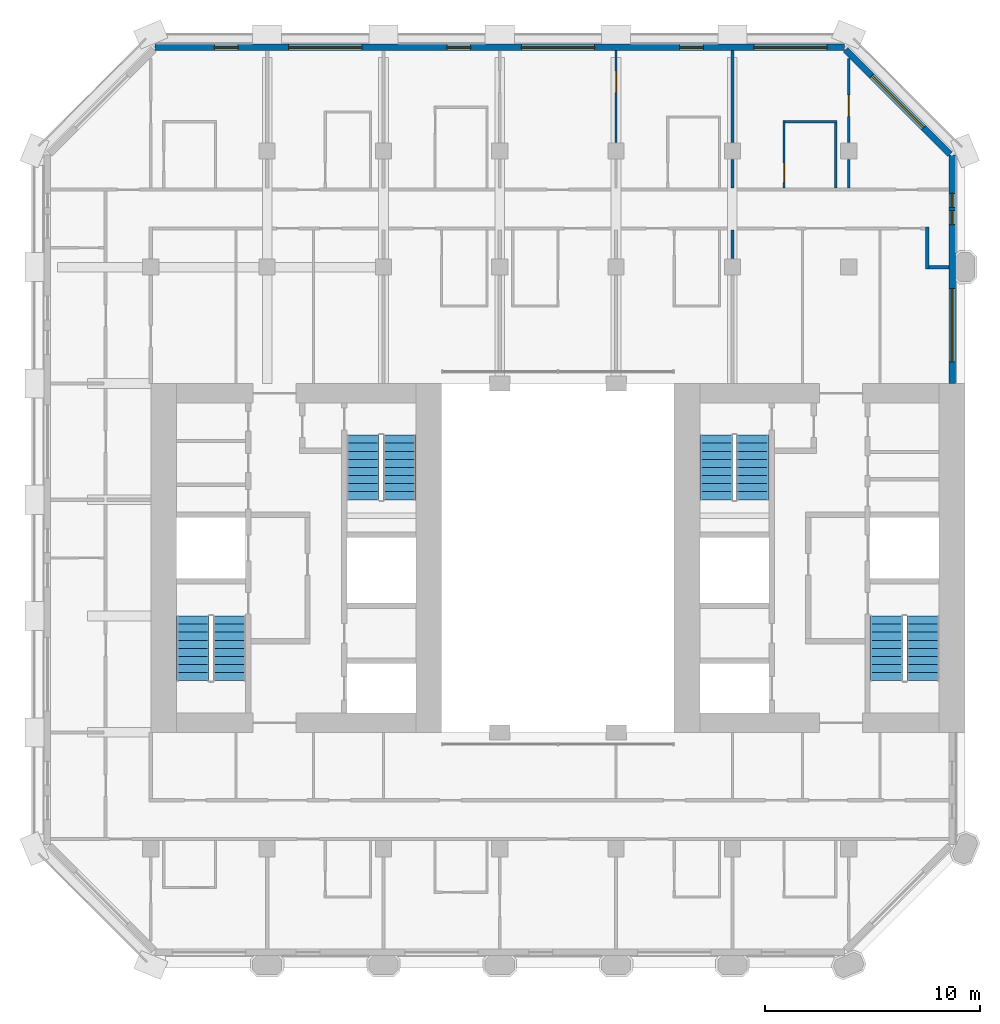
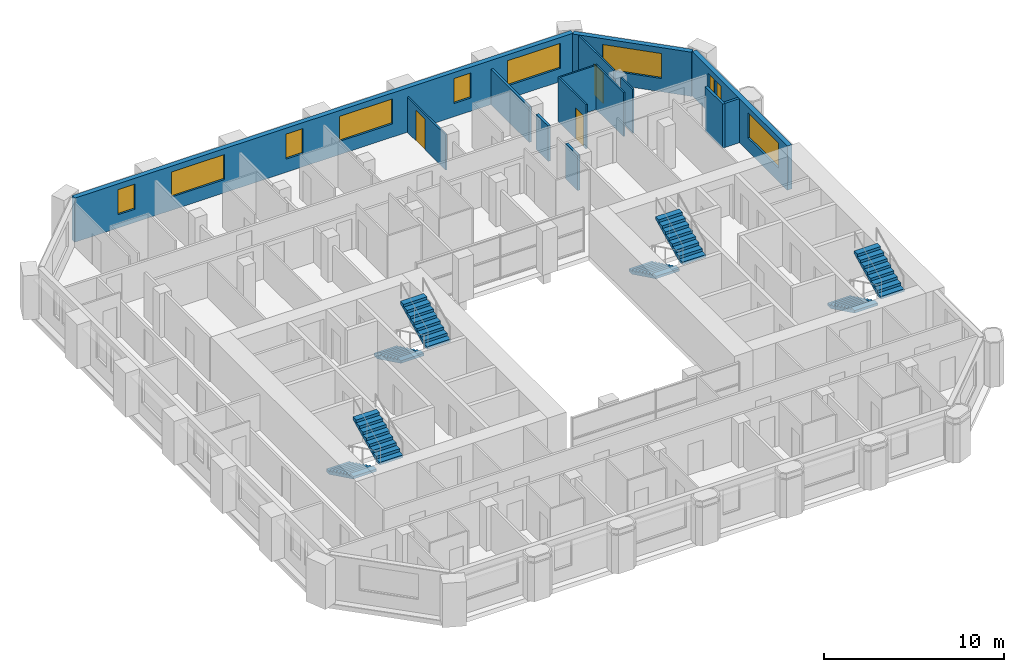
# One storey, part 11 of 13: 14 walls, 10 windows, 8 stair flights, 3 doors, 13 openings, 4 elements without a shape of their own.
"""IFC4 building model written with IfcOpenShell, lengths in metres."""

from ifc_helpers import new_model, si_unit, direction, frame, frame_2d, origin, place, context, subcontext, project, spatial, polyline, rectangle, outline, extrude, material, layer, layer_set, type_object, element, fill, aggregate, save


model = new_model("IFC4")

# Units and contexts
model_context = context("Model", 3, precision=1e-05, world=origin(), true_north=direction((0.0, 1.0)))
body_context = subcontext(model_context, "Body", "Model", "MODEL_VIEW")
ifc_project = project(units=[si_unit("LENGTHUNIT", "METRE"), si_unit("AREAUNIT", "SQUARE_METRE"), si_unit("VOLUMEUNIT", "CUBIC_METRE"), si_unit("PLANEANGLEUNIT", "RADIAN"), si_unit("MASSUNIT", "GRAM", prefix="KILO")], contexts=[model_context])

# Site, building, storey
site_placement = place(None, origin())
site = spatial("IfcSite", under=ifc_project, at=site_placement, CompositionType="ELEMENT")
building_placement = place(site_placement, origin())
building = spatial("IfcBuilding", under=site, at=building_placement, Name="Tabaq Tower and Sports Hall", CompositionType="ELEMENT")
storey_placement = place(building_placement, frame((0.0, 0.0, 220.300048828125)))
storey = spatial("IfcBuildingStorey", under=building, at=storey_placement, Name="L55", CompositionType="ELEMENT", Elevation=220.300048828125)

# Wall, opening, door
ifc_material_1 = material(Name="Gypsum board on steel studs", Category="steel")
ifc_layer_1 = layer(ifc_material_1, 0.10009765625)
ifc_layer_set_1 = layer_set([ifc_layer_1], Name="Partition 100 Gypsum board")
wall_type_1 = type_object("IfcWallType", Name="Partition 100 Gypsum board", PredefinedType="PARTITIONING", material=ifc_layer_set_1)
wall_1_placement = place(storey_placement, frame((34.800048828125, 41.47509765625, 0.0), z_axis=(0.0, 0.0, 1.0), x_axis=(0.0, 1.0, 0.0)))
wall_1 = element("IfcWall", 1, at=wall_1_placement, inside=storey, type_object=wall_type_1, Name="Partition wall L55", PredefinedType="PARTITIONING", context=body_context, shape_type="SweptSolid", body=[
    extrude(rectangle(XDim=3.125, YDim=0.10009765625, at=frame_2d((1.5625, 0.0))), origin(), (0.0, 0.0, 1.0), 3.0),
])
opening_1_placement = place(wall_1_placement, frame((0.25, 0.0, 0.0)))
opening_1 = element("IfcOpeningElement", 2, at=opening_1_placement, cuts=wall_1, Name="Opening L55-005", PredefinedType="OPENING", context=body_context, shape_type="SweptSolid", body=[
    extrude(rectangle(XDim=0.89990234375, YDim=2.10009765625, at=frame_2d((0.449951171875, 1.050048828125))), frame((0.0, 0.050048828125, 0.0), z_axis=(0.0, -1.0, 0.0), x_axis=(1.0, 0.0, 0.0)), (0.0, 0.0, 1.0), 0.10009765625),
])
ifc_material_2 = material(Name="Timber leaf in steel frame", Category="steel")
door_type_1 = type_object("IfcDoorType", Name="Internal door 900 left hand", OperationType="SINGLE_SWING_LEFT", PredefinedType="DOOR", material=ifc_material_2)
door_1_placement = place(opening_1_placement, origin())
door_1 = element("IfcDoor", 3, at=door_1_placement, inside=storey, type_object=door_type_1, Name="Internal door L55-005", OperationType="SINGLE_SWING_LEFT", OverallHeight=2.10009765625, OverallWidth=0.89990234375, PredefinedType="DOOR", context=body_context, shape_type="SweptSolid", body=[
    extrude(rectangle(XDim=0.89990234375, YDim=2.10009765625, at=frame_2d((0.449951171875, 1.050048828125))), frame((0.0, 0.02490234375, 0.0), z_axis=(0.0, -1.0, 0.0), x_axis=(1.0, 0.0, 0.0)), (0.0, 0.0, 1.0), 0.050048828125),
])
fill(opening_1, door_1)

# Walls
wall_2_placement = place(storey_placement, frame((34.85009765625, 44.550048828125, 0.0), z_axis=(0.0, 0.0, 1.0), x_axis=(1.0, 0.0, 0.0)))
element("IfcWall", 4, at=wall_2_placement, inside=storey, type_object=wall_type_1, Name="Partition wall L55", PredefinedType="PARTITIONING", context=body_context, shape_type="SweptSolid", body=[
    extrude(rectangle(XDim=2.39990234375, YDim=0.10009765625, at=frame_2d((1.199951171875, 0.0))), origin(), (0.0, 0.0, 1.0), 3.0),
])
wall_3_placement = place(storey_placement, frame((37.199951171875, 44.5, 0.0), z_axis=(0.0, 0.0, 1.0), x_axis=(0.0, -1.0, 0.0)))
element("IfcWall", 5, at=wall_3_placement, inside=storey, type_object=wall_type_1, Name="Partition wall L55", PredefinedType="PARTITIONING", context=body_context, shape_type="SweptSolid", body=[
    extrude(rectangle(XDim=3.02490234375, YDim=0.10009765625, at=frame_2d((1.512451171875, 0.0))), origin(), (0.0, 0.0, 1.0), 3.0),
])
wall_4_placement = place(storey_placement, frame((37.800048828125, 41.47509765625, 0.0), z_axis=(0.0, 0.0, 1.0), x_axis=(0.0, 1.0, 0.0)))
element("IfcWall", 6, at=wall_4_placement, inside=storey, type_object=wall_type_1, Name="Partition wall L55", PredefinedType="PARTITIONING", context=body_context, shape_type="SweptSolid", body=[
    extrude(rectangle(XDim=1.329833984375, YDim=0.10009765625, at=frame_2d((0.6650390625, 0.0))), origin(), (0.0, 0.0, 1.0), 3.0),
])

# Wall, opening, door
wall_5_placement = place(storey_placement, frame((37.800048828125, 43.594970703125, 0.0), z_axis=(0.0, 0.0, 1.0), x_axis=(0.0, 1.0, 0.0)))
wall_5 = element("IfcWall", 7, at=wall_5_placement, inside=storey, type_object=wall_type_1, Name="Partition wall L55", PredefinedType="PARTITIONING", context=body_context, shape_type="SweptSolid", body=[
    extrude(rectangle(XDim=3.892822265625, YDim=0.10009765625, at=frame_2d((1.9462890625, 0.0))), origin(), (0.0, 0.0, 1.0), 3.0),
])
opening_2_placement = place(wall_5_placement, frame((1.205078125, 0.0, 0.0)))
opening_2 = element("IfcOpeningElement", 8, at=opening_2_placement, cuts=wall_5, Name="Opening L55-032", PredefinedType="OPENING", context=body_context, shape_type="SweptSolid", body=[
    extrude(rectangle(XDim=1.0, YDim=2.10009765625, at=frame_2d((0.5, 1.050048828125))), frame((0.0, 0.050048828125, 0.0), z_axis=(0.0, -1.0, 0.0), x_axis=(1.0, 0.0, 0.0)), (0.0, 0.0, 1.0), 0.10009765625),
])
ifc_material_3 = material(Name="Timber leaf in steel frame", Category="steel")
door_type_2 = type_object("IfcDoorType", Name="Internal door 1000 left hand", OperationType="SINGLE_SWING_LEFT", PredefinedType="DOOR", material=ifc_material_3)
door_2_placement = place(opening_2_placement, origin())
door_2 = element("IfcDoor", 9, at=door_2_placement, inside=storey, type_object=door_type_2, Name="Internal door L55-032", OperationType="SINGLE_SWING_LEFT", OverallHeight=2.10009765625, OverallWidth=1.0, PredefinedType="DOOR", context=body_context, shape_type="SweptSolid", body=[
    extrude(rectangle(XDim=1.0, YDim=2.10009765625, at=frame_2d((0.5, 1.050048828125))), frame((0.0, 0.02490234375, 0.0), z_axis=(0.0, -1.0, 0.0), x_axis=(1.0, 0.0, 0.0)), (0.0, 0.0, 1.0), 0.050048828125),
])
fill(opening_2, door_2)

wall_6_placement = place(storey_placement, frame((27.0, 47.84912109375, 0.0), z_axis=(0.0, 0.0, 1.0), x_axis=(0.0, -1.0, 0.0)))
wall_6 = element("IfcWall", 10, at=wall_6_placement, inside=storey, type_object=wall_type_1, Name="Partition wall L55", PredefinedType="PARTITIONING", context=body_context, shape_type="SweptSolid", body=[
    extrude(rectangle(XDim=4.254150390625, YDim=0.10009765625, at=frame_2d((2.126953125, 0.0))), origin(), (0.0, 0.0, 1.0), 2.39990234375),
])
opening_3_placement = place(wall_6_placement, frame((0.948974609375, 0.0, 0.0)))
opening_3 = element("IfcOpeningElement", 11, at=opening_3_placement, cuts=wall_6, Name="Opening L55-034", PredefinedType="OPENING", context=body_context, shape_type="SweptSolid", body=[
    extrude(rectangle(XDim=1.0, YDim=2.10009765625, at=frame_2d((0.5, 1.050048828125))), frame((0.0, 0.050048828125, 0.0), z_axis=(0.0, -1.0, 0.0), x_axis=(1.0, 0.0, 0.0)), (0.0, 0.0, 1.0), 0.10009765625),
])
door_3_placement = place(opening_3_placement, origin())
door_3 = element("IfcDoor", 12, at=door_3_placement, inside=storey, type_object=door_type_2, Name="Internal door L55-034", OperationType="SINGLE_SWING_LEFT", OverallHeight=2.10009765625, OverallWidth=1.0, PredefinedType="DOOR", context=body_context, shape_type="SweptSolid", body=[
    extrude(rectangle(XDim=1.0, YDim=2.10009765625, at=frame_2d((0.5, 1.050048828125))), frame((0.0, 0.02490234375, 0.0), z_axis=(0.0, -1.0, 0.0), x_axis=(1.0, 0.0, 0.0)), (0.0, 0.0, 1.0), 0.050048828125),
])
fill(opening_3, door_3)

# Walls
ifc_material_4 = material(Name="Blockwork", Category="masonry")
ifc_layer_2 = layer(ifc_material_4, 0.14990234375)
ifc_layer_set_2 = layer_set([ifc_layer_2], Name="Separating wall 150 Blockwork")
wall_type_2 = type_object("IfcWallType", Name="Separating wall 150 Blockwork", PredefinedType="PARTITIONING", material=ifc_layer_set_2)
wall_7_placement = place(storey_placement, frame((32.39990234375, 38.195068359375, 0.0), z_axis=(0.0, 0.0, 1.0), x_axis=(0.0, 1.0, 0.0)))
element("IfcWall", 13, at=wall_7_placement, inside=storey, type_object=wall_type_2, Name="Separating wall L55", PredefinedType="PARTITIONING", context=body_context, shape_type="SweptSolid", body=[
    extrude(rectangle(XDim=1.329833984375, YDim=0.14990234375, at=frame_2d((0.6650390625, 0.0))), origin(), (0.0, 0.0, 1.0), 2.39990234375),
])
wall_8_placement = place(storey_placement, frame((32.39990234375, 47.84912109375, 0.0), z_axis=(0.0, 0.0, 1.0), x_axis=(0.0, -1.0, 0.0)))
element("IfcWall", 14, at=wall_8_placement, inside=storey, type_object=wall_type_2, Name="Separating wall L55", PredefinedType="PARTITIONING", context=body_context, shape_type="SweptSolid", body=[
    extrude(rectangle(XDim=4.254150390625, YDim=0.14990234375, at=frame_2d((2.126953125, 0.0))), origin(), (0.0, 0.0, 1.0), 2.39990234375),
])
wall_9_placement = place(storey_placement, frame((32.39990234375, 42.804931640625, 0.0), z_axis=(0.0, 0.0, 1.0), x_axis=(0.0, -1.0, 0.0)))
element("IfcWall", 15, at=wall_9_placement, inside=storey, type_object=wall_type_2, Name="Separating wall L55", PredefinedType="PARTITIONING", context=body_context, shape_type="SweptSolid", body=[
    extrude(rectangle(XDim=1.329833984375, YDim=0.14990234375, at=frame_2d((0.6650390625, 0.0))), origin(), (0.0, 0.0, 1.0), 2.39990234375),
])
wall_10_placement = place(storey_placement, frame((41.448974609375, 39.675048828125, 0.0), z_axis=(0.0, 0.0, 1.0), x_axis=(0.00050081376, -0.999999874593, 0.0)))
element("IfcWall", 16, at=wall_10_placement, inside=storey, type_object=wall_type_2, Name="Separating wall L55", PredefinedType="PARTITIONING", context=body_context, shape_type="SweptSolid", body=[
    extrude(rectangle(XDim=1.949951171875, YDim=0.14990234375, at=frame_2d((0.97509765625, 0.0))), origin(), (0.0, 0.0, 1.0), 3.0),
])
wall_11_placement = place(storey_placement, frame((41.52490234375, 37.800048828125, 0.0), z_axis=(0.0, 0.0, 1.0), x_axis=(1.0, 0.0, 0.0)))
element("IfcWall", 17, at=wall_11_placement, inside=storey, type_object=wall_type_2, Name="Separating wall L55", PredefinedType="PARTITIONING", context=body_context, shape_type="SweptSolid", body=[
    extrude(rectangle(XDim=0.925048828125, YDim=0.14990234375, at=frame_2d((0.46240234375, 0.0))), origin(), (0.0, 0.0, 1.0), 3.0),
])

# Wall, openings, windows
ifc_material_5 = material(Name="White precast concrete C60/75", Category="concrete")
ifc_layer_3 = layer(ifc_material_5, 0.300048828125)
ifc_layer_set_3 = layer_set([ifc_layer_3], Name="White precast concrete C60/75 external wall 300")
wall_type_3 = type_object("IfcWallType", Name="White precast concrete C60/75 external wall 300", PredefinedType="SOLIDWALL", material=ifc_layer_set_3)
wall_12_placement = place(storey_placement, frame((42.60009765625, 32.39990234375, 0.0), z_axis=(0.0, 0.0, 1.0), x_axis=(0.0, 1.0, 0.0)))
wall_12 = element("IfcWall", 18, at=wall_12_placement, inside=storey, type_object=wall_type_3, Name="External Wall L55 E", PredefinedType="SOLIDWALL", context=body_context, shape_type="SweptSolid", body=[
    extrude(rectangle(XDim=10.61376953125, YDim=0.300048828125, at=frame_2d((5.306884765625, 0.0))), origin(), (0.0, 0.0, 1.0), 3.0),
])
opening_4_placement = place(wall_12_placement, frame((1.0, 0.0, 0.89990234375)))
opening_4 = element("IfcOpeningElement", 19, at=opening_4_placement, cuts=wall_12, Name="Opening W1A", PredefinedType="OPENING", context=body_context, shape_type="SweptSolid", body=[
    extrude(rectangle(XDim=3.39990234375, YDim=1.699951171875, at=frame_2d((1.699951171875, 0.85009765625))), frame((0.0, 0.16015625, 0.0), z_axis=(0.0, -1.0, 0.0), x_axis=(1.0, 0.0, 0.0)), (0.0, 0.0, 1.0), 0.320068359375),
])
opening_5_placement = place(wall_12_placement, frame((7.375, 0.0, 0.89990234375)))
opening_5 = element("IfcOpeningElement", 20, at=opening_5_placement, cuts=wall_12, Name="Opening W1C", PredefinedType="OPENING", context=body_context, shape_type="SweptSolid", body=[
    extrude(rectangle(XDim=0.64990234375, YDim=1.699951171875, at=frame_2d((0.324951171875, 0.85009765625))), frame((0.0, 0.16015625, 0.0), z_axis=(0.0, -1.0, 0.0), x_axis=(1.0, 0.0, 0.0)), (0.0, 0.0, 1.0), 0.320068359375),
])
opening_6_placement = place(wall_12_placement, frame((8.175048828125, 0.0, 0.89990234375)))
opening_6 = element("IfcOpeningElement", 21, at=opening_6_placement, cuts=wall_12, Name="Opening W1C", PredefinedType="OPENING", context=body_context, shape_type="SweptSolid", body=[
    extrude(rectangle(XDim=0.64990234375, YDim=1.699951171875, at=frame_2d((0.324951171875, 0.85009765625))), frame((0.0, 0.16015625, 0.0), z_axis=(0.0, -1.0, 0.0), x_axis=(1.0, 0.0, 0.0)), (0.0, 0.0, 1.0), 0.320068359375),
])
ifc_material_6 = material(Name="Aluminium framed clear glazing", Category="aluminium")
window_type_1 = type_object("IfcWindowType", Name="Window W1A", PartitioningType="SINGLE_PANEL", PredefinedType="WINDOW", material=ifc_material_6)
window_1_placement = place(opening_4_placement, origin())
window_1 = element("IfcWindow", 22, at=window_1_placement, inside=storey, type_object=window_type_1, Name="Window W1A L55", OverallHeight=1.699951171875, OverallWidth=3.39990234375, PartitioningType="SINGLE_PANEL", PredefinedType="WINDOW", context=body_context, shape_type="SweptSolid", body=[
    extrude(rectangle(XDim=3.39990234375, YDim=1.699951171875, at=frame_2d((1.699951171875, 0.85009765625))), frame((0.0, 0.030029296875, 0.0), z_axis=(0.0, -1.0, 0.0), x_axis=(1.0, 0.0, 0.0)), (0.0, 0.0, 1.0), 0.06005859375),
])
fill(opening_4, window_1)
ifc_material_7 = material(Name="Aluminium framed clear glazing", Category="aluminium")
window_type_2 = type_object("IfcWindowType", Name="Window W1C", PartitioningType="SINGLE_PANEL", PredefinedType="WINDOW", material=ifc_material_7)
window_2_placement = place(opening_5_placement, origin())
window_2 = element("IfcWindow", 23, at=window_2_placement, inside=storey, type_object=window_type_2, Name="Window W1C L55", OverallHeight=1.699951171875, OverallWidth=0.64990234375, PartitioningType="SINGLE_PANEL", PredefinedType="WINDOW", context=body_context, shape_type="SweptSolid", body=[
    extrude(rectangle(XDim=0.64990234375, YDim=1.699951171875, at=frame_2d((0.324951171875, 0.85009765625))), frame((0.0, 0.030029296875, 0.0), z_axis=(0.0, -1.0, 0.0), x_axis=(1.0, 0.0, 0.0)), (0.0, 0.0, 1.0), 0.06005859375),
])
fill(opening_5, window_2)
window_3_placement = place(opening_6_placement, origin())
window_3 = element("IfcWindow", 24, at=window_3_placement, inside=storey, type_object=window_type_2, Name="Window W1C L55", OverallHeight=1.699951171875, OverallWidth=0.64990234375, PartitioningType="SINGLE_PANEL", PredefinedType="WINDOW", context=body_context, shape_type="SweptSolid", body=[
    extrude(rectangle(XDim=0.64990234375, YDim=1.699951171875, at=frame_2d((0.324951171875, 0.85009765625))), frame((0.0, 0.030029296875, 0.0), z_axis=(0.0, -1.0, 0.0), x_axis=(1.0, 0.0, 0.0)), (0.0, 0.0, 1.0), 0.06005859375),
])
fill(opening_6, window_3)

# Wall, opening, window
wall_13_placement = place(storey_placement, frame((42.5009765625, 43.050537109375, 0.0), z_axis=(0.0, 0.0, 1.0), x_axis=(-0.707106781187, 0.707106781187, 0.0)))
wall_13 = element("IfcWall", 25, at=wall_13_placement, inside=storey, type_object=wall_type_3, Name="External Wall L55 NE", PredefinedType="SOLIDWALL", context=body_context, shape_type="SweptSolid", body=[
    extrude(rectangle(XDim=6.85986328125, YDim=0.300048828125, at=frame_2d((3.429931640625, 0.0))), origin(), (0.0, 0.0, 1.0), 3.0),
])
opening_7_placement = place(wall_13_placement, frame((1.729736328125, 0.0, 0.89990234375)))
opening_7 = element("IfcOpeningElement", 26, at=opening_7_placement, cuts=wall_13, Name="Opening W1A", PredefinedType="OPENING", context=body_context, shape_type="SweptSolid", body=[
    extrude(rectangle(XDim=3.39990234375, YDim=1.699951171875, at=frame_2d((1.699951171875, 0.85009765625))), frame((0.0, 0.16015625, 0.0), z_axis=(0.0, -1.0, 0.0), x_axis=(1.0, 0.0, 0.0)), (0.0, 0.0, 1.0), 0.320068359375),
])
window_4_placement = place(opening_7_placement, origin())
window_4 = element("IfcWindow", 27, at=window_4_placement, inside=storey, type_object=window_type_1, Name="Window W1A L55", OverallHeight=1.699951171875, OverallWidth=3.39990234375, PartitioningType="SINGLE_PANEL", PredefinedType="WINDOW", context=body_context, shape_type="SweptSolid", body=[
    extrude(rectangle(XDim=3.39990234375, YDim=1.699951171875, at=frame_2d((1.699951171875, 0.85009765625))), frame((0.0, 0.030029296875, 0.0), z_axis=(0.0, -1.0, 0.0), x_axis=(1.0, 0.0, 0.0)), (0.0, 0.0, 1.0), 0.06005859375),
])
fill(opening_7, window_4)

# Wall, openings, windows
wall_14_placement = place(storey_placement, frame((37.613525390625, 48.0, 0.0), z_axis=(0.0, 0.0, 1.0), x_axis=(-1.0, 0.0, 0.0)))
wall_14 = element("IfcWall", 28, at=wall_14_placement, inside=storey, type_object=wall_type_3, Name="External Wall L55 N", PredefinedType="SOLIDWALL", context=body_context, shape_type="SweptSolid", body=[
    extrude(rectangle(XDim=32.027099609375, YDim=0.300048828125, at=frame_2d((16.013671875, 0.0))), origin(), (0.0, 0.0, 1.0), 3.0),
])
opening_8_placement = place(wall_14_placement, frame((0.813720703125, 0.0, 0.89990234375)))
opening_8 = element("IfcOpeningElement", 29, at=opening_8_placement, cuts=wall_14, Name="Opening W1A", PredefinedType="OPENING", context=body_context, shape_type="SweptSolid", body=[
    extrude(rectangle(XDim=3.39990234375, YDim=1.699951171875, at=frame_2d((1.699951171875, 0.85009765625))), frame((0.0, 0.16015625, 0.0), z_axis=(0.0, -1.0, 0.0), x_axis=(1.0, 0.0, 0.0)), (0.0, 0.0, 1.0), 0.320068359375),
])
opening_9_placement = place(wall_14_placement, frame((6.563720703125, 0.0, 0.89990234375)))
opening_9 = element("IfcOpeningElement", 30, at=opening_9_placement, cuts=wall_14, Name="Opening W1B", PredefinedType="OPENING", context=body_context, shape_type="SweptSolid", body=[
    extrude(rectangle(XDim=1.10009765625, YDim=1.699951171875, at=frame_2d((0.550048828125, 0.85009765625))), frame((0.0, 0.16015625, 0.0), z_axis=(0.0, -1.0, 0.0), x_axis=(1.0, 0.0, 0.0)), (0.0, 0.0, 1.0), 0.320068359375),
])
opening_10_placement = place(wall_14_placement, frame((11.613525390625, 0.0, 0.89990234375)))
opening_10 = element("IfcOpeningElement", 31, at=opening_10_placement, cuts=wall_14, Name="Opening W1A", PredefinedType="OPENING", context=body_context, shape_type="SweptSolid", body=[
    extrude(rectangle(XDim=3.39990234375, YDim=1.699951171875, at=frame_2d((1.699951171875, 0.85009765625))), frame((0.0, 0.16015625, 0.0), z_axis=(0.0, -1.0, 0.0), x_axis=(1.0, 0.0, 0.0)), (0.0, 0.0, 1.0), 0.320068359375),
])
opening_11_placement = place(wall_14_placement, frame((17.363525390625, 0.0, 0.89990234375)))
opening_11 = element("IfcOpeningElement", 32, at=opening_11_placement, cuts=wall_14, Name="Opening W1B", PredefinedType="OPENING", context=body_context, shape_type="SweptSolid", body=[
    extrude(rectangle(XDim=1.10009765625, YDim=1.699951171875, at=frame_2d((0.550048828125, 0.85009765625))), frame((0.0, 0.16015625, 0.0), z_axis=(0.0, -1.0, 0.0), x_axis=(1.0, 0.0, 0.0)), (0.0, 0.0, 1.0), 0.320068359375),
])
opening_12_placement = place(wall_14_placement, frame((22.41357421875, 0.0, 0.89990234375)))
opening_12 = element("IfcOpeningElement", 33, at=opening_12_placement, cuts=wall_14, Name="Opening W1A", PredefinedType="OPENING", context=body_context, shape_type="SweptSolid", body=[
    extrude(rectangle(XDim=3.39990234375, YDim=1.699951171875, at=frame_2d((1.699951171875, 0.85009765625))), frame((0.0, 0.16015625, 0.0), z_axis=(0.0, -1.0, 0.0), x_axis=(1.0, 0.0, 0.0)), (0.0, 0.0, 1.0), 0.320068359375),
])
opening_13_placement = place(wall_14_placement, frame((28.16357421875, 0.0, 0.89990234375)))
opening_13 = element("IfcOpeningElement", 34, at=opening_13_placement, cuts=wall_14, Name="Opening W1B", PredefinedType="OPENING", context=body_context, shape_type="SweptSolid", body=[
    extrude(rectangle(XDim=1.10009765625, YDim=1.699951171875, at=frame_2d((0.550048828125, 0.85009765625))), frame((0.0, 0.16015625, 0.0), z_axis=(0.0, -1.0, 0.0), x_axis=(1.0, 0.0, 0.0)), (0.0, 0.0, 1.0), 0.320068359375),
])
window_5_placement = place(opening_8_placement, origin())
window_5 = element("IfcWindow", 35, at=window_5_placement, inside=storey, type_object=window_type_1, Name="Window W1A L55", OverallHeight=1.699951171875, OverallWidth=3.39990234375, PartitioningType="SINGLE_PANEL", PredefinedType="WINDOW", context=body_context, shape_type="SweptSolid", body=[
    extrude(rectangle(XDim=3.39990234375, YDim=1.699951171875, at=frame_2d((1.699951171875, 0.85009765625))), frame((0.0, 0.030029296875, 0.0), z_axis=(0.0, -1.0, 0.0), x_axis=(1.0, 0.0, 0.0)), (0.0, 0.0, 1.0), 0.06005859375),
])
fill(opening_8, window_5)
window_6_placement = place(opening_10_placement, origin())
window_6 = element("IfcWindow", 36, at=window_6_placement, inside=storey, type_object=window_type_1, Name="Window W1A L55", OverallHeight=1.699951171875, OverallWidth=3.39990234375, PartitioningType="SINGLE_PANEL", PredefinedType="WINDOW", context=body_context, shape_type="SweptSolid", body=[
    extrude(rectangle(XDim=3.39990234375, YDim=1.699951171875, at=frame_2d((1.699951171875, 0.85009765625))), frame((0.0, 0.030029296875, 0.0), z_axis=(0.0, -1.0, 0.0), x_axis=(1.0, 0.0, 0.0)), (0.0, 0.0, 1.0), 0.06005859375),
])
fill(opening_10, window_6)
window_7_placement = place(opening_12_placement, origin())
window_7 = element("IfcWindow", 37, at=window_7_placement, inside=storey, type_object=window_type_1, Name="Window W1A L55", OverallHeight=1.699951171875, OverallWidth=3.39990234375, PartitioningType="SINGLE_PANEL", PredefinedType="WINDOW", context=body_context, shape_type="SweptSolid", body=[
    extrude(rectangle(XDim=3.39990234375, YDim=1.699951171875, at=frame_2d((1.699951171875, 0.85009765625))), frame((0.0, 0.030029296875, 0.0), z_axis=(0.0, -1.0, 0.0), x_axis=(1.0, 0.0, 0.0)), (0.0, 0.0, 1.0), 0.06005859375),
])
fill(opening_12, window_7)
ifc_material_8 = material(Name="Aluminium framed clear glazing", Category="aluminium")
window_type_3 = type_object("IfcWindowType", Name="Window W1B", PartitioningType="SINGLE_PANEL", PredefinedType="WINDOW", material=ifc_material_8)
window_8_placement = place(opening_9_placement, origin())
window_8 = element("IfcWindow", 38, at=window_8_placement, inside=storey, type_object=window_type_3, Name="Window W1B L55", OverallHeight=1.699951171875, OverallWidth=1.10009765625, PartitioningType="SINGLE_PANEL", PredefinedType="WINDOW", context=body_context, shape_type="SweptSolid", body=[
    extrude(rectangle(XDim=1.10009765625, YDim=1.699951171875, at=frame_2d((0.550048828125, 0.85009765625))), frame((0.0, 0.030029296875, 0.0), z_axis=(0.0, -1.0, 0.0), x_axis=(1.0, 0.0, 0.0)), (0.0, 0.0, 1.0), 0.06005859375),
])
fill(opening_9, window_8)
window_9_placement = place(opening_11_placement, origin())
window_9 = element("IfcWindow", 39, at=window_9_placement, inside=storey, type_object=window_type_3, Name="Window W1B L55", OverallHeight=1.699951171875, OverallWidth=1.10009765625, PartitioningType="SINGLE_PANEL", PredefinedType="WINDOW", context=body_context, shape_type="SweptSolid", body=[
    extrude(rectangle(XDim=1.10009765625, YDim=1.699951171875, at=frame_2d((0.550048828125, 0.85009765625))), frame((0.0, 0.030029296875, 0.0), z_axis=(0.0, -1.0, 0.0), x_axis=(1.0, 0.0, 0.0)), (0.0, 0.0, 1.0), 0.06005859375),
])
fill(opening_11, window_9)
window_10_placement = place(opening_13_placement, origin())
window_10 = element("IfcWindow", 40, at=window_10_placement, inside=storey, type_object=window_type_3, Name="Window W1B L55", OverallHeight=1.699951171875, OverallWidth=1.10009765625, PartitioningType="SINGLE_PANEL", PredefinedType="WINDOW", context=body_context, shape_type="SweptSolid", body=[
    extrude(rectangle(XDim=1.10009765625, YDim=1.699951171875, at=frame_2d((0.550048828125, 0.85009765625))), frame((0.0, 0.030029296875, 0.0), z_axis=(0.0, -1.0, 0.0), x_axis=(1.0, 0.0, 0.0)), (0.0, 0.0, 1.0), 0.06005859375),
])
fill(opening_13, window_10)

# Stair, stair flights
ifc_material_9 = material(Name="Concrete C40/50", Category="concrete")
stair_type = type_object("IfcStairType", Name="Exit stair", PredefinedType="HALF_TURN_STAIR", material=ifc_material_9)
stair_1_placement = place(storey_placement, origin())
stair_1 = element("IfcStair", 41, at=stair_1_placement, inside=storey, type_object=stair_type, Name="L55 Exit stair ST1", PredefinedType="HALF_TURN_STAIR")
ifc_material_10 = material(Name="Concrete C40/50", Category="concrete")
stair_flight_type = type_object("IfcStairFlightType", Name="Exit stair flight", PredefinedType="STRAIGHT", material=ifc_material_10)
stair_flight_1_placement = place(storey_placement, frame((7.35009765625, 21.60009765625, 0.0), z_axis=(0.0, 0.0, 1.0), x_axis=(0.0, -1.0, 0.0)))
stair_flight_1 = element("IfcStairFlight", 42, at=stair_flight_1_placement, type_object=stair_flight_type, Name="ST1 flight 1", NumberOfRisers=9, NumberOfTreads=8, PredefinedType="STRAIGHT", RiserHeight=0.183333333, TreadLength=0.375, context=body_context, shape_type="SweptSolid", body=[
    extrude(outline(polyline([(0.0, 0.0), (0.0, 0.183349609375), (0.375, 0.183349609375), (0.375, 0.36669921875), (0.75, 0.36669921875), (0.75, 0.550048828125), (1.125, 0.550048828125), (1.125, 0.7333984375), (1.5, 0.7333984375), (1.5, 0.916748046875), (1.875, 0.916748046875), (1.875, 1.10009765625), (2.25, 1.10009765625), (2.25, 1.283447265625), (2.625, 1.283447265625), (2.625, 1.466552734375), (3.0, 1.466552734375), (3.0, 1.64990234375), (3.0, 1.2998046875), (0.34130859375, 0.0), (0.0, 0.0)])), frame((0.0, 0.75, 0.0), z_axis=(0.0, -1.0, 0.0), x_axis=(1.0, 0.0, 0.0)), (0.0, 0.0, 1.0), 1.5),
])
stair_flight_2_placement = place(storey_placement, frame((9.050048828125, 18.60009765625, 1.64990234375), z_axis=(0.0, 0.0, 1.0), x_axis=(0.0, 1.0, 0.0)))
stair_flight_2 = element("IfcStairFlight", 43, at=stair_flight_2_placement, type_object=stair_flight_type, Name="ST1 flight 2", NumberOfRisers=9, NumberOfTreads=8, PredefinedType="STRAIGHT", RiserHeight=0.183333333, TreadLength=0.375, context=body_context, shape_type="SweptSolid", body=[
    extrude(outline(polyline([(0.0, 0.0), (0.0, 0.183349609375), (0.375, 0.183349609375), (0.375, 0.36669921875), (0.75, 0.36669921875), (0.75, 0.550048828125), (1.125, 0.550048828125), (1.125, 0.7333984375), (1.5, 0.7333984375), (1.5, 0.916748046875), (1.875, 0.916748046875), (1.875, 1.10009765625), (2.25, 1.10009765625), (2.25, 1.283447265625), (2.625, 1.283447265625), (2.625, 1.466552734375), (3.0, 1.466552734375), (3.0, 1.64990234375), (3.0, 1.2998046875), (0.34130859375, 0.0), (0.0, 0.0)])), frame((0.0, 0.75, 0.0), z_axis=(0.0, -1.0, 0.0), x_axis=(1.0, 0.0, 0.0)), (0.0, 0.0, 1.0), 1.5),
])
aggregate(stair_1, [stair_flight_1, stair_flight_2])

stair_2_placement = place(storey_placement, origin())
stair_2 = element("IfcStair", 44, at=stair_2_placement, inside=storey, type_object=stair_type, Name="L55 Exit stair ST2", PredefinedType="HALF_TURN_STAIR")
stair_flight_3_placement = place(storey_placement, frame((15.25, 30.0, 0.0), z_axis=(0.0, 0.0, 1.0), x_axis=(0.0, -1.0, 0.0)))
stair_flight_3 = element("IfcStairFlight", 45, at=stair_flight_3_placement, type_object=stair_flight_type, Name="ST2 flight 1", NumberOfRisers=9, NumberOfTreads=8, PredefinedType="STRAIGHT", RiserHeight=0.183333333, TreadLength=0.375, context=body_context, shape_type="SweptSolid", body=[
    extrude(outline(polyline([(0.0, 0.0), (0.0, 0.183349609375), (0.375, 0.183349609375), (0.375, 0.36669921875), (0.75, 0.36669921875), (0.75, 0.550048828125), (1.125, 0.550048828125), (1.125, 0.7333984375), (1.5, 0.7333984375), (1.5, 0.916748046875), (1.875, 0.916748046875), (1.875, 1.10009765625), (2.25, 1.10009765625), (2.25, 1.283447265625), (2.625, 1.283447265625), (2.625, 1.466552734375), (3.0, 1.466552734375), (3.0, 1.64990234375), (3.0, 1.2998046875), (0.34130859375, 0.0), (0.0, 0.0)])), frame((0.0, 0.75, 0.0), z_axis=(0.0, -1.0, 0.0), x_axis=(1.0, 0.0, 0.0)), (0.0, 0.0, 1.0), 1.5),
])
stair_flight_4_placement = place(storey_placement, frame((16.949951171875, 27.0, 1.64990234375), z_axis=(0.0, 0.0, 1.0), x_axis=(0.0, 1.0, 0.0)))
stair_flight_4 = element("IfcStairFlight", 46, at=stair_flight_4_placement, type_object=stair_flight_type, Name="ST2 flight 2", NumberOfRisers=9, NumberOfTreads=8, PredefinedType="STRAIGHT", RiserHeight=0.183333333, TreadLength=0.375, context=body_context, shape_type="SweptSolid", body=[
    extrude(outline(polyline([(0.0, 0.0), (0.0, 0.183349609375), (0.375, 0.183349609375), (0.375, 0.36669921875), (0.75, 0.36669921875), (0.75, 0.550048828125), (1.125, 0.550048828125), (1.125, 0.7333984375), (1.5, 0.7333984375), (1.5, 0.916748046875), (1.875, 0.916748046875), (1.875, 1.10009765625), (2.25, 1.10009765625), (2.25, 1.283447265625), (2.625, 1.283447265625), (2.625, 1.466552734375), (3.0, 1.466552734375), (3.0, 1.64990234375), (3.0, 1.2998046875), (0.34130859375, 0.0), (0.0, 0.0)])), frame((0.0, 0.75, 0.0), z_axis=(0.0, -1.0, 0.0), x_axis=(1.0, 0.0, 0.0)), (0.0, 0.0, 1.0), 1.5),
])
aggregate(stair_2, [stair_flight_3, stair_flight_4])

stair_3_placement = place(storey_placement, origin())
stair_3 = element("IfcStair", 47, at=stair_3_placement, inside=storey, type_object=stair_type, Name="L55 Exit stair ST3", PredefinedType="HALF_TURN_STAIR")
stair_flight_5_placement = place(storey_placement, frame((39.550048828125, 21.60009765625, 0.0), z_axis=(0.0, 0.0, 1.0), x_axis=(0.0, -1.0, 0.0)))
stair_flight_5 = element("IfcStairFlight", 48, at=stair_flight_5_placement, type_object=stair_flight_type, Name="ST3 flight 1", NumberOfRisers=9, NumberOfTreads=8, PredefinedType="STRAIGHT", RiserHeight=0.183333333, TreadLength=0.375, context=body_context, shape_type="SweptSolid", body=[
    extrude(outline(polyline([(0.0, 0.0), (0.0, 0.183349609375), (0.375, 0.183349609375), (0.375, 0.36669921875), (0.75, 0.36669921875), (0.75, 0.550048828125), (1.125, 0.550048828125), (1.125, 0.7333984375), (1.5, 0.7333984375), (1.5, 0.916748046875), (1.875, 0.916748046875), (1.875, 1.10009765625), (2.25, 1.10009765625), (2.25, 1.283447265625), (2.625, 1.283447265625), (2.625, 1.466552734375), (3.0, 1.466552734375), (3.0, 1.64990234375), (3.0, 1.2998046875), (0.34130859375, 0.0), (0.0, 0.0)])), frame((0.0, 0.75, 0.0), z_axis=(0.0, -1.0, 0.0), x_axis=(1.0, 0.0, 0.0)), (0.0, 0.0, 1.0), 1.5),
])
stair_flight_6_placement = place(storey_placement, frame((41.25, 18.60009765625, 1.64990234375), z_axis=(0.0, 0.0, 1.0), x_axis=(0.0, 1.0, 0.0)))
stair_flight_6 = element("IfcStairFlight", 49, at=stair_flight_6_placement, type_object=stair_flight_type, Name="ST3 flight 2", NumberOfRisers=9, NumberOfTreads=8, PredefinedType="STRAIGHT", RiserHeight=0.183333333, TreadLength=0.375, context=body_context, shape_type="SweptSolid", body=[
    extrude(outline(polyline([(0.0, 0.0), (0.0, 0.183349609375), (0.375, 0.183349609375), (0.375, 0.36669921875), (0.75, 0.36669921875), (0.75, 0.550048828125), (1.125, 0.550048828125), (1.125, 0.7333984375), (1.5, 0.7333984375), (1.5, 0.916748046875), (1.875, 0.916748046875), (1.875, 1.10009765625), (2.25, 1.10009765625), (2.25, 1.283447265625), (2.625, 1.283447265625), (2.625, 1.466552734375), (3.0, 1.466552734375), (3.0, 1.64990234375), (3.0, 1.2998046875), (0.34130859375, 0.0), (0.0, 0.0)])), frame((0.0, 0.75, 0.0), z_axis=(0.0, -1.0, 0.0), x_axis=(1.0, 0.0, 0.0)), (0.0, 0.0, 1.0), 1.5),
])
aggregate(stair_3, [stair_flight_5, stair_flight_6])

stair_4_placement = place(storey_placement, origin())
stair_4 = element("IfcStair", 50, at=stair_4_placement, inside=storey, type_object=stair_type, Name="L55 Exit stair ST4", PredefinedType="HALF_TURN_STAIR")
stair_flight_7_placement = place(storey_placement, frame((31.64990234375, 30.0, 0.0), z_axis=(0.0, 0.0, 1.0), x_axis=(0.0, -1.0, 0.0)))
stair_flight_7 = element("IfcStairFlight", 51, at=stair_flight_7_placement, type_object=stair_flight_type, Name="ST4 flight 1", NumberOfRisers=9, NumberOfTreads=8, PredefinedType="STRAIGHT", RiserHeight=0.183333333, TreadLength=0.375, context=body_context, shape_type="SweptSolid", body=[
    extrude(outline(polyline([(0.0, 0.0), (0.0, 0.183349609375), (0.375, 0.183349609375), (0.375, 0.36669921875), (0.75, 0.36669921875), (0.75, 0.550048828125), (1.125, 0.550048828125), (1.125, 0.7333984375), (1.5, 0.7333984375), (1.5, 0.916748046875), (1.875, 0.916748046875), (1.875, 1.10009765625), (2.25, 1.10009765625), (2.25, 1.283447265625), (2.625, 1.283447265625), (2.625, 1.466552734375), (3.0, 1.466552734375), (3.0, 1.64990234375), (3.0, 1.2998046875), (0.34130859375, 0.0), (0.0, 0.0)])), frame((0.0, 0.75, 0.0), z_axis=(0.0, -1.0, 0.0), x_axis=(1.0, 0.0, 0.0)), (0.0, 0.0, 1.0), 1.5),
])
stair_flight_8_placement = place(storey_placement, frame((33.35009765625, 27.0, 1.64990234375), z_axis=(0.0, 0.0, 1.0), x_axis=(0.0, 1.0, 0.0)))
stair_flight_8 = element("IfcStairFlight", 52, at=stair_flight_8_placement, type_object=stair_flight_type, Name="ST4 flight 2", NumberOfRisers=9, NumberOfTreads=8, PredefinedType="STRAIGHT", RiserHeight=0.183333333, TreadLength=0.375, context=body_context, shape_type="SweptSolid", body=[
    extrude(outline(polyline([(0.0, 0.0), (0.0, 0.183349609375), (0.375, 0.183349609375), (0.375, 0.36669921875), (0.75, 0.36669921875), (0.75, 0.550048828125), (1.125, 0.550048828125), (1.125, 0.7333984375), (1.5, 0.7333984375), (1.5, 0.916748046875), (1.875, 0.916748046875), (1.875, 1.10009765625), (2.25, 1.10009765625), (2.25, 1.283447265625), (2.625, 1.283447265625), (2.625, 1.466552734375), (3.0, 1.466552734375), (3.0, 1.64990234375), (3.0, 1.2998046875), (0.34130859375, 0.0), (0.0, 0.0)])), frame((0.0, 0.75, 0.0), z_axis=(0.0, -1.0, 0.0), x_axis=(1.0, 0.0, 0.0)), (0.0, 0.0, 1.0), 1.5),
])
aggregate(stair_4, [stair_flight_7, stair_flight_8])

save(model, "model.ifc")
